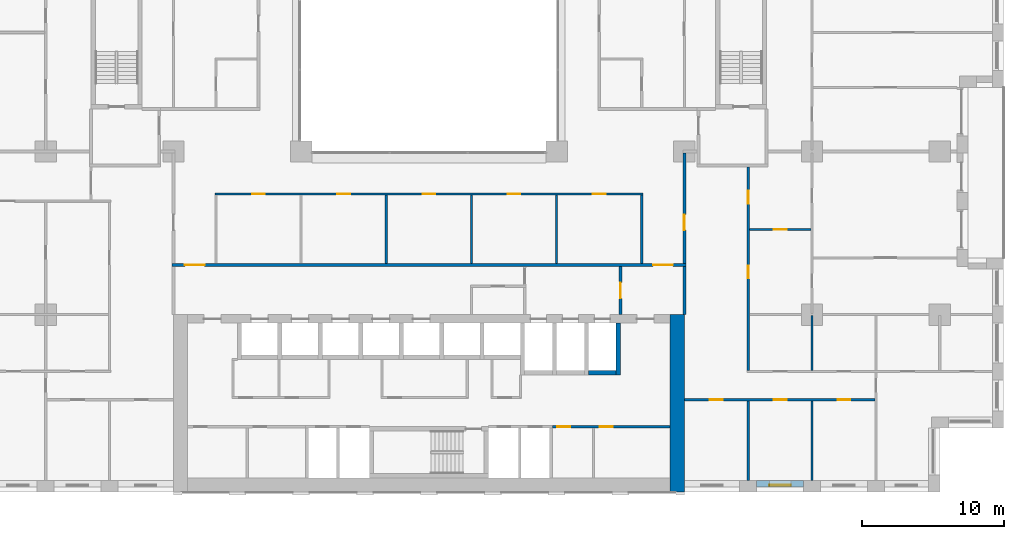
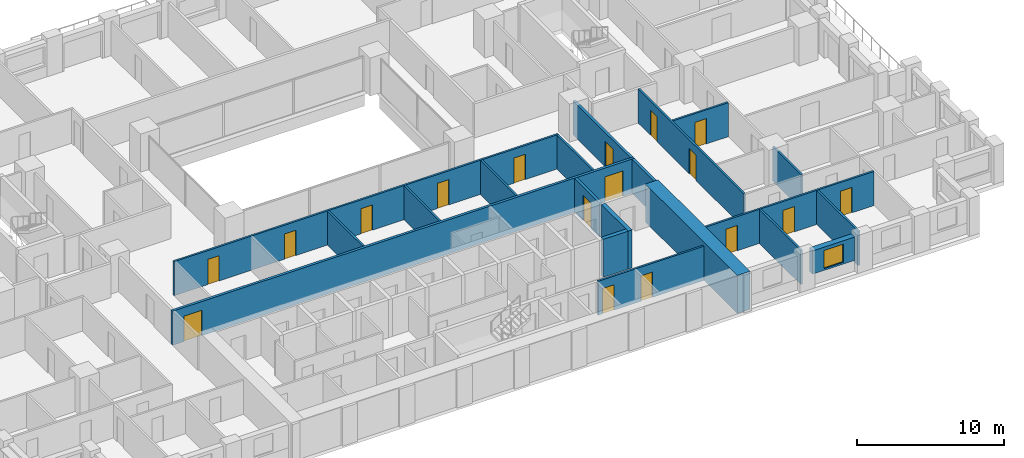
# One storey, part 12 of 19: 20 walls, 17 doors, 1 window, 18 openings.
"""IFC4 building model written with IfcOpenShell, lengths in metres."""

from ifc_helpers import new_model, si_unit, direction, frame, frame_2d, origin, place, context, subcontext, project, spatial, rectangle, extrude, material, layer, layer_set, type_object, element, fill, save


model = new_model("IFC4")

# Units and contexts
model_context = context("Model", 3, precision=1e-05, world=origin(), true_north=direction((0.0, 1.0)))
body_context = subcontext(model_context, "Body", "Model", "MODEL_VIEW")
ifc_project = project(units=[si_unit("LENGTHUNIT", "METRE"), si_unit("AREAUNIT", "SQUARE_METRE"), si_unit("VOLUMEUNIT", "CUBIC_METRE"), si_unit("PLANEANGLEUNIT", "RADIAN"), si_unit("MASSUNIT", "GRAM", prefix="KILO")], contexts=[model_context])

# Site, building, storey
site_placement = place(None, origin())
site = spatial("IfcSite", under=ifc_project, at=site_placement, CompositionType="ELEMENT")
building_placement = place(site_placement, origin())
building = spatial("IfcBuilding", under=site, at=building_placement, Name="Brigalow Station Residences", CompositionType="ELEMENT")
storey_placement = place(building_placement, frame((0.0, 0.0, 22.64990234375)))
storey = spatial("IfcBuildingStorey", under=building, at=storey_placement, Name="L05", CompositionType="ELEMENT", Elevation=22.64990234375)

# Wall, opening, window
ifc_material_1 = material(Name="Clay brick masonry", Category="masonry")
ifc_layer_1 = layer(ifc_material_1, 0.449951171875)
ifc_layer_set_1 = layer_set([ifc_layer_1], Name="BRICK INFILL WALL 450")
wall_type_1 = type_object("IfcWallType", Name="BRICK INFILL WALL 450", PredefinedType="SOLIDWALL", material=ifc_layer_set_1)
wall_1_placement = place(storey_placement, frame((59.10009765625, 0.574951171875, 0.900146484375), z_axis=(0.0, 0.0, 1.0), x_axis=(1.0, 0.0, 0.0)))
wall_1 = element("IfcWall", 1, at=wall_1_placement, inside=storey, type_object=wall_type_1, Name="L05/ewall/W-L05-6", PredefinedType="SOLIDWALL", context=body_context, shape_type="SweptSolid", body=[
    extrude(rectangle(XDim=3.2998046875, YDim=0.449951171875, at=frame_2d((1.64990234375, 0.0))), origin(), (0.0, 0.0, 1.0), 1.929931640625),
])
opening_1_placement = place(wall_1_placement, frame((0.89990234375, 0.0, 0.14990234375)))
opening_1 = element("IfcOpeningElement", 2, at=opening_1_placement, cuts=wall_1, Name="Opening WT-1", PredefinedType="OPENING", context=body_context, shape_type="SweptSolid", body=[
    extrude(rectangle(XDim=1.5, YDim=1.5, at=frame_2d((0.75, 0.75))), frame((0.0, 0.23486328125, 0.0), z_axis=(0.0, -1.0, 0.0), x_axis=(1.0, 0.0, 0.0)), (0.0, 0.0, 1.0), 0.469970703125),
])
ifc_material_2 = material(Name="Anodised aluminium frame with double glazing", Category="aluminium")
window_type = type_object("IfcWindowType", Name="WINDOW 1500x1500", PartitioningType="SINGLE_PANEL", PredefinedType="WINDOW", material=ifc_material_2)
window_placement = place(opening_1_placement, origin())
window = element("IfcWindow", 3, at=window_placement, inside=storey, type_object=window_type, Name="L05/window/W-L05-6", OverallHeight=1.5, OverallWidth=1.5, PartitioningType="SINGLE_PANEL", PredefinedType="WINDOW", context=body_context, shape_type="SweptSolid", body=[
    extrude(rectangle(XDim=1.5, YDim=1.5, at=frame_2d((0.75, 0.75))), frame((0.0, -0.06494140625, 0.0), z_axis=(0.0, -1.0, 0.0), x_axis=(1.0, 0.0, 0.0)), (0.0, 0.0, 1.0), 0.06005859375),
])
fill(opening_1, window)

# Walls
ifc_material_3 = material(Name="Concrete C80", Category="concrete")
ifc_layer_2 = layer(ifc_material_3, 1.0)
ifc_layer_set_2 = layer_set([ifc_layer_2], Name="CORE SHEAR WALL 1000 C80")
wall_type_2 = type_object("IfcWallType", Name="CORE SHEAR WALL 1000 C80", PredefinedType="SHEAR", material=ifc_layer_set_2)
wall_2_placement = place(storey_placement, frame((53.5, 0.0, 0.0), z_axis=(0.0, 0.0, 1.0), x_axis=(0.0, 1.0, 0.0)))
element("IfcWall", 4, at=wall_2_placement, inside=storey, type_object=wall_type_2, Name="CORE WALL OUT-E L05", PredefinedType="SHEAR", context=body_context, shape_type="SweptSolid", body=[
    extrude(rectangle(XDim=12.5, YDim=1.0, at=frame_2d((6.25, 0.0))), origin(), (0.0, 0.0, 1.0), 3.150146484375),
])
ifc_material_4 = material(Name="Concrete C80", Category="concrete")
ifc_layer_3 = layer(ifc_material_4, 0.300048828125)
ifc_layer_set_3 = layer_set([ifc_layer_3], Name="CORE SHEAR WALL 300 C80")
wall_type_3 = type_object("IfcWallType", Name="CORE SHEAR WALL 300 C80", PredefinedType="SHEAR", material=ifc_layer_set_3)
wall_3_placement = place(storey_placement, frame((47.25, 8.39990234375, 0.0), z_axis=(0.0, 0.0, 1.0), x_axis=(1.0, 0.0, 0.0)))
element("IfcWall", 5, at=wall_3_placement, inside=storey, type_object=wall_type_3, Name="CORE WALL SH-SL1-S L05", PredefinedType="SHEAR", context=body_context, shape_type="SweptSolid", body=[
    extrude(rectangle(XDim=1.949951171875, YDim=0.300048828125, at=frame_2d((0.97509765625, 0.0))), origin(), (0.0, 0.0, 1.0), 3.150146484375),
])
wall_4_placement = place(storey_placement, frame((49.35009765625, 8.25, 0.0), z_axis=(0.0, 0.0, 1.0), x_axis=(0.0, 1.0, 0.0)))
element("IfcWall", 6, at=wall_4_placement, inside=storey, type_object=wall_type_3, Name="CORE WALL SH-SL1-E L05", PredefinedType="SHEAR", context=body_context, shape_type="SweptSolid", body=[
    extrude(rectangle(XDim=3.64990234375, YDim=0.300048828125, at=frame_2d((1.824951171875, 0.0))), origin(), (0.0, 0.0, 1.0), 3.150146484375),
])

# Wall, opening, door
ifc_material_5 = material(Name="Concrete blockwork", Category="masonry")
ifc_layer_4 = layer(ifc_material_5, 0.199951171875)
ifc_layer_set_4 = layer_set([ifc_layer_4], Name="FIRE RATED CORE PARTITION 200")
wall_type_4 = type_object("IfcWallType", Name="FIRE RATED CORE PARTITION 200", PredefinedType="PARTITIONING", material=ifc_layer_set_4)
wall_5_placement = place(storey_placement, frame((49.5, 12.5, 0.0), z_axis=(0.0, 0.0, 1.0), x_axis=(0.0, 1.0, 0.0)))
wall_5 = element("IfcWall", 7, at=wall_5_placement, inside=storey, type_object=wall_type_4, Name="PW-5015", PredefinedType="PARTITIONING", context=body_context, shape_type="SweptSolid", body=[
    extrude(rectangle(XDim=3.39990234375, YDim=0.199951171875, at=frame_2d((1.699951171875, 0.0))), origin(), (0.0, 0.0, 1.0), 2.830078125),
])
opening_2_placement = place(wall_5_placement, frame((1.14990234375, 0.0, 0.0)))
opening_2 = element("IfcOpeningElement", 8, at=opening_2_placement, cuts=wall_5, Name="Opening D-5014", PredefinedType="OPENING", context=body_context, shape_type="SweptSolid", body=[
    extrude(rectangle(XDim=1.10009765625, YDim=2.10009765625, at=frame_2d((0.550048828125, 1.050048828125))), frame((0.0, 0.10986328125, 0.0), z_axis=(0.0, -1.0, 0.0), x_axis=(1.0, 0.0, 0.0)), (0.0, 0.0, 1.0), 0.219970703125),
])
ifc_material_6 = material(Name="Steel fire door leaf in steel frame", Category="steel")
door_type_1 = type_object("IfcDoorType", Name="LOBBY DOOR 1100 x 2100 FD60S", OperationType="SINGLE_SWING_LEFT", PredefinedType="DOOR", material=ifc_material_6)
door_1_placement = place(opening_2_placement, origin())
door_1 = element("IfcDoor", 9, at=door_1_placement, inside=storey, type_object=door_type_1, Name="D-5014", OperationType="SINGLE_SWING_LEFT", OverallHeight=2.10009765625, OverallWidth=1.10009765625, PredefinedType="DOOR", context=body_context, shape_type="SweptSolid", body=[
    extrude(rectangle(XDim=1.10009765625, YDim=2.10009765625, at=frame_2d((0.550048828125, 1.050048828125))), frame((0.0, 0.02490234375, 0.0), z_axis=(0.0, -1.0, 0.0), x_axis=(1.0, 0.0, 0.0)), (0.0, 0.0, 1.0), 0.050048828125),
])
fill(opening_2, door_1)

# Wall
wall_6_placement = place(storey_placement, frame((54.0, 12.5, 0.0), z_axis=(0.0, 0.0, 1.0), x_axis=(0.0, 1.0, 0.0)))
element("IfcWall", 10, at=wall_6_placement, inside=storey, type_object=wall_type_4, Name="PW-5016", PredefinedType="PARTITIONING", context=body_context, shape_type="SweptSolid", body=[
    extrude(rectangle(XDim=3.39990234375, YDim=0.199951171875, at=frame_2d((1.699951171875, 0.0))), origin(), (0.0, 0.0, 1.0), 2.830078125),
])

# Wall, openings, doors
ifc_material_7 = material(Name="Plasterboard on steel stud partition", Category="steel")
ifc_layer_5 = layer(ifc_material_7, 0.14990234375)
ifc_layer_set_5 = layer_set([ifc_layer_5], Name="FLAT PARTITION 150")
wall_type_5 = type_object("IfcWallType", Name="FLAT PARTITION 150", PredefinedType="PARTITIONING", material=ifc_layer_set_5)
wall_7_placement = place(storey_placement, frame((20.925048828125, 21.0, 0.0), z_axis=(0.0, 0.0, 1.0), x_axis=(1.0, 0.0, 0.0)))
wall_7 = element("IfcWall", 11, at=wall_7_placement, inside=storey, type_object=wall_type_5, Name="PW-1A01", PredefinedType="PARTITIONING", context=body_context, shape_type="SweptSolid", body=[
    extrude(rectangle(XDim=30.14990234375, YDim=0.14990234375, at=frame_2d((15.074951171875, 0.0))), origin(), (0.0, 0.0, 1.0), 2.830078125),
])
opening_3_placement = place(wall_7_placement, frame((2.625, 0.0, 0.0)))
opening_3 = element("IfcOpeningElement", 12, at=opening_3_placement, cuts=wall_7, Name="Opening D-1A63", PredefinedType="OPENING", context=body_context, shape_type="SweptSolid", body=[
    extrude(rectangle(XDim=0.89990234375, YDim=2.10009765625, at=frame_2d((0.449951171875, 1.050048828125))), frame((0.0, 0.0849609375, 0.0), z_axis=(0.0, -1.0, 0.0), x_axis=(1.0, 0.0, 0.0)), (0.0, 0.0, 1.0), 0.169921875),
])
opening_4_placement = place(wall_7_placement, frame((8.625, 0.0, 0.0)))
opening_4 = element("IfcOpeningElement", 13, at=opening_4_placement, cuts=wall_7, Name="Opening D-1A64", PredefinedType="OPENING", context=body_context, shape_type="SweptSolid", body=[
    extrude(rectangle(XDim=0.89990234375, YDim=2.10009765625, at=frame_2d((0.449951171875, 1.050048828125))), frame((0.0, 0.0849609375, 0.0), z_axis=(0.0, -1.0, 0.0), x_axis=(1.0, 0.0, 0.0)), (0.0, 0.0, 1.0), 0.169921875),
])
opening_5_placement = place(wall_7_placement, frame((14.625, 0.0, 0.0)))
opening_5 = element("IfcOpeningElement", 14, at=opening_5_placement, cuts=wall_7, Name="Opening D-1A65", PredefinedType="OPENING", context=body_context, shape_type="SweptSolid", body=[
    extrude(rectangle(XDim=0.89990234375, YDim=2.10009765625, at=frame_2d((0.449951171875, 1.050048828125))), frame((0.0, 0.0849609375, 0.0), z_axis=(0.0, -1.0, 0.0), x_axis=(1.0, 0.0, 0.0)), (0.0, 0.0, 1.0), 0.169921875),
])
opening_6_placement = place(wall_7_placement, frame((20.625, 0.0, 0.0)))
opening_6 = element("IfcOpeningElement", 15, at=opening_6_placement, cuts=wall_7, Name="Opening D-1A66", PredefinedType="OPENING", context=body_context, shape_type="SweptSolid", body=[
    extrude(rectangle(XDim=0.89990234375, YDim=2.10009765625, at=frame_2d((0.449951171875, 1.050048828125))), frame((0.0, 0.0849609375, 0.0), z_axis=(0.0, -1.0, 0.0), x_axis=(1.0, 0.0, 0.0)), (0.0, 0.0, 1.0), 0.169921875),
])
opening_7_placement = place(wall_7_placement, frame((26.625, 0.0, 0.0)))
opening_7 = element("IfcOpeningElement", 16, at=opening_7_placement, cuts=wall_7, Name="Opening D-1A67", PredefinedType="OPENING", context=body_context, shape_type="SweptSolid", body=[
    extrude(rectangle(XDim=0.89990234375, YDim=2.10009765625, at=frame_2d((0.449951171875, 1.050048828125))), frame((0.0, 0.0849609375, 0.0), z_axis=(0.0, -1.0, 0.0), x_axis=(1.0, 0.0, 0.0)), (0.0, 0.0, 1.0), 0.169921875),
])
ifc_material_8 = material(Name="Solid-core timber door leaf", Category="wood")
door_type_2 = type_object("IfcDoorType", Name="INTERNAL DOOR 900 x 2100", OperationType="SINGLE_SWING_LEFT", PredefinedType="DOOR", material=ifc_material_8)
door_2_placement = place(opening_3_placement, frame((0.89990234375, 0.0, 0.0), z_axis=(0.0, 0.0, 1.0), x_axis=(-1.0, 0.0, 0.0)))
door_2 = element("IfcDoor", 17, at=door_2_placement, inside=storey, type_object=door_type_2, Name="D-1A63", OperationType="SINGLE_SWING_LEFT", OverallHeight=2.10009765625, OverallWidth=0.89990234375, PredefinedType="DOOR", context=body_context, shape_type="SweptSolid", body=[
    extrude(rectangle(XDim=0.89990234375, YDim=2.10009765625, at=frame_2d((0.449951171875, 1.050048828125))), frame((0.0, 0.02490234375, 0.0), z_axis=(0.0, -1.0, 0.0), x_axis=(1.0, 0.0, 0.0)), (0.0, 0.0, 1.0), 0.050048828125),
])
fill(opening_3, door_2)
door_3_placement = place(opening_4_placement, frame((0.89990234375, 0.0, 0.0), z_axis=(0.0, 0.0, 1.0), x_axis=(-1.0, 0.0, 0.0)))
door_3 = element("IfcDoor", 18, at=door_3_placement, inside=storey, type_object=door_type_2, Name="D-1A64", OperationType="SINGLE_SWING_LEFT", OverallHeight=2.10009765625, OverallWidth=0.89990234375, PredefinedType="DOOR", context=body_context, shape_type="SweptSolid", body=[
    extrude(rectangle(XDim=0.89990234375, YDim=2.10009765625, at=frame_2d((0.449951171875, 1.050048828125))), frame((0.0, 0.02490234375, 0.0), z_axis=(0.0, -1.0, 0.0), x_axis=(1.0, 0.0, 0.0)), (0.0, 0.0, 1.0), 0.050048828125),
])
fill(opening_4, door_3)
door_4_placement = place(opening_5_placement, frame((0.89990234375, 0.0, 0.0), z_axis=(0.0, 0.0, 1.0), x_axis=(-1.0, 0.0, 0.0)))
door_4 = element("IfcDoor", 19, at=door_4_placement, inside=storey, type_object=door_type_2, Name="D-1A65", OperationType="SINGLE_SWING_RIGHT", OverallHeight=2.10009765625, OverallWidth=0.89990234375, PredefinedType="DOOR", context=body_context, shape_type="SweptSolid", body=[
    extrude(rectangle(XDim=0.89990234375, YDim=2.10009765625, at=frame_2d((0.449951171875, 1.050048828125))), frame((0.0, 0.02490234375, 0.0), z_axis=(0.0, -1.0, 0.0), x_axis=(1.0, 0.0, 0.0)), (0.0, 0.0, 1.0), 0.050048828125),
])
fill(opening_5, door_4)
door_5_placement = place(opening_6_placement, frame((0.89990234375, 0.0, 0.0), z_axis=(0.0, 0.0, 1.0), x_axis=(-1.0, 0.0, 0.0)))
door_5 = element("IfcDoor", 20, at=door_5_placement, inside=storey, type_object=door_type_2, Name="D-1A66", OperationType="SINGLE_SWING_LEFT", OverallHeight=2.10009765625, OverallWidth=0.89990234375, PredefinedType="DOOR", context=body_context, shape_type="SweptSolid", body=[
    extrude(rectangle(XDim=0.89990234375, YDim=2.10009765625, at=frame_2d((0.449951171875, 1.050048828125))), frame((0.0, 0.02490234375, 0.0), z_axis=(0.0, -1.0, 0.0), x_axis=(1.0, 0.0, 0.0)), (0.0, 0.0, 1.0), 0.050048828125),
])
fill(opening_6, door_5)
door_6_placement = place(opening_7_placement, frame((0.89990234375, 0.0, 0.0), z_axis=(0.0, 0.0, 1.0), x_axis=(-1.0, 0.0, 0.0)))
door_6 = element("IfcDoor", 21, at=door_6_placement, inside=storey, type_object=door_type_2, Name="D-1A67", OperationType="SINGLE_SWING_LEFT", OverallHeight=2.10009765625, OverallWidth=0.89990234375, PredefinedType="DOOR", context=body_context, shape_type="SweptSolid", body=[
    extrude(rectangle(XDim=0.89990234375, YDim=2.10009765625, at=frame_2d((0.449951171875, 1.050048828125))), frame((0.0, 0.02490234375, 0.0), z_axis=(0.0, -1.0, 0.0), x_axis=(1.0, 0.0, 0.0)), (0.0, 0.0, 1.0), 0.050048828125),
])
fill(opening_7, door_6)

wall_8_placement = place(storey_placement, frame((54.0, 6.5, 0.0), z_axis=(0.0, 0.0, 1.0), x_axis=(1.0, 0.0, 0.0)))
wall_8 = element("IfcWall", 22, at=wall_8_placement, inside=storey, type_object=wall_type_5, Name="PW-1A14", PredefinedType="PARTITIONING", context=body_context, shape_type="SweptSolid", body=[
    extrude(rectangle(XDim=13.425048828125, YDim=0.14990234375, at=frame_2d((6.71240234375, 0.0))), origin(), (0.0, 0.0, 1.0), 2.830078125),
])
opening_8_placement = place(wall_8_placement, frame((1.800048828125, 0.0, 0.0)))
opening_8 = element("IfcOpeningElement", 23, at=opening_8_placement, cuts=wall_8, Name="Opening D-1A30", PredefinedType="OPENING", context=body_context, shape_type="SweptSolid", body=[
    extrude(rectangle(XDim=0.89990234375, YDim=2.10009765625, at=frame_2d((0.449951171875, 1.050048828125))), frame((0.0, 0.0849609375, 0.0), z_axis=(0.0, -1.0, 0.0), x_axis=(1.0, 0.0, 0.0)), (0.0, 0.0, 1.0), 0.169921875),
])
opening_9_placement = place(wall_8_placement, frame((6.300048828125, 0.0, 0.0)))
opening_9 = element("IfcOpeningElement", 24, at=opening_9_placement, cuts=wall_8, Name="Opening D-1A31", PredefinedType="OPENING", context=body_context, shape_type="SweptSolid", body=[
    extrude(rectangle(XDim=0.89990234375, YDim=2.10009765625, at=frame_2d((0.449951171875, 1.050048828125))), frame((0.0, 0.0849609375, 0.0), z_axis=(0.0, -1.0, 0.0), x_axis=(1.0, 0.0, 0.0)), (0.0, 0.0, 1.0), 0.169921875),
])
opening_10_placement = place(wall_8_placement, frame((10.800048828125, 0.0, 0.0)))
opening_10 = element("IfcOpeningElement", 25, at=opening_10_placement, cuts=wall_8, Name="Opening D-1A32", PredefinedType="OPENING", context=body_context, shape_type="SweptSolid", body=[
    extrude(rectangle(XDim=0.89990234375, YDim=2.10009765625, at=frame_2d((0.449951171875, 1.050048828125))), frame((0.0, 0.0849609375, 0.0), z_axis=(0.0, -1.0, 0.0), x_axis=(1.0, 0.0, 0.0)), (0.0, 0.0, 1.0), 0.169921875),
])
door_7_placement = place(opening_8_placement, frame((0.89990234375, 0.0, 0.0), z_axis=(0.0, 0.0, 1.0), x_axis=(-1.0, 0.0, 0.0)))
door_7 = element("IfcDoor", 26, at=door_7_placement, inside=storey, type_object=door_type_2, Name="D-1A30", OperationType="SINGLE_SWING_LEFT", OverallHeight=2.10009765625, OverallWidth=0.89990234375, PredefinedType="DOOR", context=body_context, shape_type="SweptSolid", body=[
    extrude(rectangle(XDim=0.89990234375, YDim=2.10009765625, at=frame_2d((0.449951171875, 1.050048828125))), frame((0.0, 0.02490234375, 0.0), z_axis=(0.0, -1.0, 0.0), x_axis=(1.0, 0.0, 0.0)), (0.0, 0.0, 1.0), 0.050048828125),
])
fill(opening_8, door_7)
door_8_placement = place(opening_9_placement, frame((0.89990234375, 0.0, 0.0), z_axis=(0.0, 0.0, 1.0), x_axis=(-1.0, 0.0, 0.0)))
door_8 = element("IfcDoor", 27, at=door_8_placement, inside=storey, type_object=door_type_2, Name="D-1A31", OperationType="SINGLE_SWING_RIGHT", OverallHeight=2.10009765625, OverallWidth=0.89990234375, PredefinedType="DOOR", context=body_context, shape_type="SweptSolid", body=[
    extrude(rectangle(XDim=0.89990234375, YDim=2.10009765625, at=frame_2d((0.449951171875, 1.050048828125))), frame((0.0, 0.02490234375, 0.0), z_axis=(0.0, -1.0, 0.0), x_axis=(1.0, 0.0, 0.0)), (0.0, 0.0, 1.0), 0.050048828125),
])
fill(opening_9, door_8)
door_9_placement = place(opening_10_placement, frame((0.89990234375, 0.0, 0.0), z_axis=(0.0, 0.0, 1.0), x_axis=(-1.0, 0.0, 0.0)))
door_9 = element("IfcDoor", 28, at=door_9_placement, inside=storey, type_object=door_type_2, Name="D-1A32", OperationType="SINGLE_SWING_LEFT", OverallHeight=2.10009765625, OverallWidth=0.89990234375, PredefinedType="DOOR", context=body_context, shape_type="SweptSolid", body=[
    extrude(rectangle(XDim=0.89990234375, YDim=2.10009765625, at=frame_2d((0.449951171875, 1.050048828125))), frame((0.0, 0.02490234375, 0.0), z_axis=(0.0, -1.0, 0.0), x_axis=(1.0, 0.0, 0.0)), (0.0, 0.0, 1.0), 0.050048828125),
])
fill(opening_10, door_9)

# Wall, opening, door
wall_9_placement = place(storey_placement, frame((58.574951171875, 18.5, 0.0), z_axis=(0.0, 0.0, 1.0), x_axis=(1.0, 0.0, 0.0)))
wall_9 = element("IfcWall", 29, at=wall_9_placement, inside=storey, type_object=wall_type_5, Name="PW-1A28", PredefinedType="PARTITIONING", context=body_context, shape_type="SweptSolid", body=[
    extrude(rectangle(XDim=4.35009765625, YDim=0.14990234375, at=frame_2d((2.175048828125, 0.0))), origin(), (0.0, 0.0, 1.0), 2.830078125),
])
opening_11_placement = place(wall_9_placement, frame((1.72509765625, 0.0, 0.0)))
opening_11 = element("IfcOpeningElement", 30, at=opening_11_placement, cuts=wall_9, Name="Opening D-1A40", PredefinedType="OPENING", context=body_context, shape_type="SweptSolid", body=[
    extrude(rectangle(XDim=0.89990234375, YDim=2.10009765625, at=frame_2d((0.449951171875, 1.050048828125))), frame((0.0, 0.0849609375, 0.0), z_axis=(0.0, -1.0, 0.0), x_axis=(1.0, 0.0, 0.0)), (0.0, 0.0, 1.0), 0.169921875),
])
door_10_placement = place(opening_11_placement, origin())
door_10 = element("IfcDoor", 31, at=door_10_placement, inside=storey, type_object=door_type_2, Name="D-1A40", OperationType="SINGLE_SWING_RIGHT", OverallHeight=2.10009765625, OverallWidth=0.89990234375, PredefinedType="DOOR", context=body_context, shape_type="SweptSolid", body=[
    extrude(rectangle(XDim=0.89990234375, YDim=2.10009765625, at=frame_2d((0.449951171875, 1.050048828125))), frame((0.0, 0.02490234375, 0.0), z_axis=(0.0, -1.0, 0.0), x_axis=(1.0, 0.0, 0.0)), (0.0, 0.0, 1.0), 0.050048828125),
])
fill(opening_11, door_10)

# Walls
wall_10_placement = place(storey_placement, frame((51.0, 16.10009765625, 0.0), z_axis=(0.0, 0.0, 1.0), x_axis=(0.0, 1.0, 0.0)))
element("IfcWall", 32, at=wall_10_placement, inside=storey, type_object=wall_type_5, Name="PW-1A40", PredefinedType="PARTITIONING", context=body_context, shape_type="SweptSolid", body=[
    extrude(rectangle(XDim=4.824951171875, YDim=0.14990234375, at=frame_2d((2.41259765625, 0.0))), origin(), (0.0, 0.0, 1.0), 2.830078125),
])
wall_11_placement = place(storey_placement, frame((58.5, 0.800048828125, 0.0), z_axis=(0.0, 0.0, 1.0), x_axis=(0.0, 1.0, 0.0)))
element("IfcWall", 33, at=wall_11_placement, inside=storey, type_object=wall_type_5, Name="PW-1A61", PredefinedType="PARTITIONING", context=body_context, shape_type="SweptSolid", body=[
    extrude(rectangle(XDim=5.625, YDim=0.14990234375, at=frame_2d((2.8125, 0.0))), origin(), (0.0, 0.0, 1.0), 2.830078125),
])

# Wall, openings, doors
wall_12_placement = place(storey_placement, frame((58.5, 8.574951171875, 0.0), z_axis=(0.0, 0.0, 1.0), x_axis=(0.0, 1.0, 0.0)))
wall_12 = element("IfcWall", 34, at=wall_12_placement, inside=storey, type_object=wall_type_5, Name="PW-1A62", PredefinedType="PARTITIONING", context=body_context, shape_type="SweptSolid", body=[
    extrude(rectangle(XDim=14.324951171875, YDim=0.14990234375, at=frame_2d((7.16259765625, 0.0))), origin(), (0.0, 0.0, 1.0), 2.830078125),
])
opening_12_placement = place(wall_12_placement, frame((6.47509765625, 0.0, 0.0)))
opening_12 = element("IfcOpeningElement", 35, at=opening_12_placement, cuts=wall_12, Name="Opening D-1A38", PredefinedType="OPENING", context=body_context, shape_type="SweptSolid", body=[
    extrude(rectangle(XDim=0.89990234375, YDim=2.10009765625, at=frame_2d((0.449951171875, 1.050048828125))), frame((0.0, 0.0849609375, 0.0), z_axis=(0.0, -1.0, 0.0), x_axis=(1.0, 0.0, 0.0)), (0.0, 0.0, 1.0), 0.169921875),
])
opening_13_placement = place(wall_12_placement, frame((11.75, 0.0, 0.0)))
opening_13 = element("IfcOpeningElement", 36, at=opening_13_placement, cuts=wall_12, Name="Opening D-1A39", PredefinedType="OPENING", context=body_context, shape_type="SweptSolid", body=[
    extrude(rectangle(XDim=0.89990234375, YDim=2.10009765625, at=frame_2d((0.449951171875, 1.050048828125))), frame((0.0, 0.0849609375, 0.0), z_axis=(0.0, -1.0, 0.0), x_axis=(1.0, 0.0, 0.0)), (0.0, 0.0, 1.0), 0.169921875),
])
door_11_placement = place(opening_12_placement, frame((0.89990234375, 0.0, 0.0), z_axis=(0.0, 0.0, 1.0), x_axis=(-1.0, 0.0, 0.0)))
door_11 = element("IfcDoor", 37, at=door_11_placement, inside=storey, type_object=door_type_2, Name="D-1A38", OperationType="SINGLE_SWING_LEFT", OverallHeight=2.10009765625, OverallWidth=0.89990234375, PredefinedType="DOOR", context=body_context, shape_type="SweptSolid", body=[
    extrude(rectangle(XDim=0.89990234375, YDim=2.10009765625, at=frame_2d((0.449951171875, 1.050048828125))), frame((0.0, 0.02490234375, 0.0), z_axis=(0.0, -1.0, 0.0), x_axis=(1.0, 0.0, 0.0)), (0.0, 0.0, 1.0), 0.050048828125),
])
fill(opening_12, door_11)
door_12_placement = place(opening_13_placement, frame((0.89990234375, 0.0, 0.0), z_axis=(0.0, 0.0, 1.0), x_axis=(-1.0, 0.0, 0.0)))
door_12 = element("IfcDoor", 38, at=door_12_placement, inside=storey, type_object=door_type_2, Name="D-1A39", OperationType="SINGLE_SWING_LEFT", OverallHeight=2.10009765625, OverallWidth=0.89990234375, PredefinedType="DOOR", context=body_context, shape_type="SweptSolid", body=[
    extrude(rectangle(XDim=0.89990234375, YDim=2.10009765625, at=frame_2d((0.449951171875, 1.050048828125))), frame((0.0, 0.02490234375, 0.0), z_axis=(0.0, -1.0, 0.0), x_axis=(1.0, 0.0, 0.0)), (0.0, 0.0, 1.0), 0.050048828125),
])
fill(opening_13, door_12)

# Walls
wall_13_placement = place(storey_placement, frame((63.0, 0.800048828125, 0.0), z_axis=(0.0, 0.0, 1.0), x_axis=(0.0, 1.0, 0.0)))
element("IfcWall", 39, at=wall_13_placement, inside=storey, type_object=wall_type_5, Name="PW-1A64", PredefinedType="PARTITIONING", context=body_context, shape_type="SweptSolid", body=[
    extrude(rectangle(XDim=5.625, YDim=0.14990234375, at=frame_2d((2.8125, 0.0))), origin(), (0.0, 0.0, 1.0), 2.830078125),
])
wall_14_placement = place(storey_placement, frame((63.0, 8.574951171875, 0.0), z_axis=(0.0, 0.0, 1.0), x_axis=(0.0, 1.0, 0.0)))
element("IfcWall", 40, at=wall_14_placement, inside=storey, type_object=wall_type_5, Name="PW-1A65", PredefinedType="PARTITIONING", context=body_context, shape_type="SweptSolid", body=[
    extrude(rectangle(XDim=3.85009765625, YDim=0.14990234375, at=frame_2d((1.925048828125, 0.0))), origin(), (0.0, 0.0, 1.0), 2.830078125),
])
for number, where, z_axis, x_axis, name in (
    (41, (33.0, 16.10009765625, 0.0), (0.0, 0.0, 1.0), (0.0, 1.0, 0.0), "PW-1A78"),
    (42, (39.0, 16.10009765625, 0.0), (0.0, 0.0, 1.0), (0.0, 1.0, 0.0), "PW-1A79"),
    (43, (45.0, 16.10009765625, 0.0), (0.0, 0.0, 1.0), (0.0, 1.0, 0.0), "PW-1A80"),
):
    element("IfcWall", number, at=place(storey_placement, frame(where, z_axis=z_axis, x_axis=x_axis)), inside=storey, type_object=wall_type_5, Name=name, PredefinedType="PARTITIONING", context=body_context, shape_type="SweptSolid", body=[
        extrude(rectangle(XDim=4.824951171875, YDim=0.14990234375, at=frame_2d((2.41259765625, 0.0))), origin(), (0.0, 0.0, 1.0), 2.830078125),
    ])

# Wall, openings, doors
ifc_material_9 = material(Name="Plasterboard on steel stud partition", Category="steel")
ifc_layer_6 = layer(ifc_material_9, 0.199951171875)
ifc_layer_set_6 = layer_set([ifc_layer_6], Name="PARTY AND CORRIDOR WALL 200")
wall_type_6 = type_object("IfcWallType", Name="PARTY AND CORRIDOR WALL 200", PredefinedType="PARTITIONING", material=ifc_layer_set_6)
wall_15_placement = place(storey_placement, frame((17.89990234375, 16.0, 0.0), z_axis=(0.0, 0.0, 1.0), x_axis=(1.0, 0.0, 0.0)))
wall_15 = element("IfcWall", 44, at=wall_15_placement, inside=storey, type_object=wall_type_6, Name="PW-1A31", PredefinedType="PARTITIONING", context=body_context, shape_type="SweptSolid", body=[
    extrude(rectangle(XDim=36.2001953125, YDim=0.199951171875, at=frame_2d((18.10009765625, 0.0))), origin(), (0.0, 0.0, 1.0), 2.830078125),
])
opening_14_placement = place(wall_15_placement, frame((0.89990234375, 0.0, 0.0)))
opening_14 = element("IfcOpeningElement", 45, at=opening_14_placement, cuts=wall_15, Name="Opening D-1A01", PredefinedType="OPENING", context=body_context, shape_type="SweptSolid", body=[
    extrude(rectangle(XDim=1.39990234375, YDim=2.10009765625, at=frame_2d((0.699951171875, 1.050048828125))), frame((0.0, 0.10986328125, 0.0), z_axis=(0.0, -1.0, 0.0), x_axis=(1.0, 0.0, 0.0)), (0.0, 0.0, 1.0), 0.219970703125),
])
opening_15_placement = place(wall_15_placement, frame((33.89990234375, 0.0, 0.0)))
opening_15 = element("IfcOpeningElement", 46, at=opening_15_placement, cuts=wall_15, Name="Opening D-1A02", PredefinedType="OPENING", context=body_context, shape_type="SweptSolid", body=[
    extrude(rectangle(XDim=1.39990234375, YDim=2.10009765625, at=frame_2d((0.699951171875, 1.050048828125))), frame((0.0, 0.10986328125, 0.0), z_axis=(0.0, -1.0, 0.0), x_axis=(1.0, 0.0, 0.0)), (0.0, 0.0, 1.0), 0.219970703125),
])
ifc_material_10 = material(Name="Solid-core timber door leaf", Category="wood")
door_type_3 = type_object("IfcDoorType", Name="CORRIDOR FIRE DOOR 1400 x 2100 FRL -/60/30", OperationType="DOUBLE_DOOR_SINGLE_SWING", PredefinedType="DOOR", material=ifc_material_10)
door_13_placement = place(opening_14_placement, frame((1.39990234375, 0.0, 0.0), z_axis=(0.0, 0.0, 1.0), x_axis=(-1.0, 0.0, 0.0)))
door_13 = element("IfcDoor", 47, at=door_13_placement, inside=storey, type_object=door_type_3, Name="D-1A01", OperationType="DOUBLE_DOOR_SINGLE_SWING", OverallHeight=2.10009765625, OverallWidth=1.39990234375, PredefinedType="DOOR", context=body_context, shape_type="SweptSolid", body=[
    extrude(rectangle(XDim=1.39990234375, YDim=2.10009765625, at=frame_2d((0.699951171875, 1.050048828125))), frame((0.0, 0.02490234375, 0.0), z_axis=(0.0, -1.0, 0.0), x_axis=(1.0, 0.0, 0.0)), (0.0, 0.0, 1.0), 0.050048828125),
])
fill(opening_14, door_13)
door_14_placement = place(opening_15_placement, frame((1.39990234375, 0.0, 0.0), z_axis=(0.0, 0.0, 1.0), x_axis=(-1.0, 0.0, 0.0)))
door_14 = element("IfcDoor", 48, at=door_14_placement, inside=storey, type_object=door_type_3, Name="D-1A02", OperationType="DOUBLE_DOOR_SINGLE_SWING", OverallHeight=2.10009765625, OverallWidth=1.39990234375, PredefinedType="DOOR", context=body_context, shape_type="SweptSolid", body=[
    extrude(rectangle(XDim=1.39990234375, YDim=2.10009765625, at=frame_2d((0.699951171875, 1.050048828125))), frame((0.0, 0.02490234375, 0.0), z_axis=(0.0, -1.0, 0.0), x_axis=(1.0, 0.0, 0.0)), (0.0, 0.0, 1.0), 0.050048828125),
])
fill(opening_15, door_14)

# Wall, opening, door
wall_16_placement = place(storey_placement, frame((54.0, 16.10009765625, 0.0), z_axis=(0.0, 0.0, 1.0), x_axis=(0.0, 1.0, 0.0)))
wall_16 = element("IfcWall", 49, at=wall_16_placement, inside=storey, type_object=wall_type_6, Name="PW-1A37", PredefinedType="PARTITIONING", context=body_context, shape_type="SweptSolid", body=[
    extrude(rectangle(XDim=7.7998046875, YDim=0.199951171875, at=frame_2d((3.89990234375, 0.0))), origin(), (0.0, 0.0, 1.0), 2.830078125),
])
opening_16_placement = place(wall_16_placement, frame((2.35009765625, 0.0, 0.0)))
opening_16 = element("IfcOpeningElement", 50, at=opening_16_placement, cuts=wall_16, Name="Opening D-1A44", PredefinedType="OPENING", context=body_context, shape_type="SweptSolid", body=[
    extrude(rectangle(XDim=1.10009765625, YDim=2.10009765625, at=frame_2d((0.550048828125, 1.050048828125))), frame((0.0, 0.10986328125, 0.0), z_axis=(0.0, -1.0, 0.0), x_axis=(1.0, 0.0, 0.0)), (0.0, 0.0, 1.0), 0.219970703125),
])
ifc_material_11 = material(Name="Solid-core timber door leaf", Category="wood")
door_type_4 = type_object("IfcDoorType", Name="FLAT ENTRANCE DOOR 1100 x 2100 FRL -/60/30", OperationType="SINGLE_SWING_LEFT", PredefinedType="DOOR", material=ifc_material_11)
door_15_placement = place(opening_16_placement, frame((1.10009765625, 0.0, 0.0), z_axis=(0.0, 0.0, 1.0), x_axis=(-1.0, 0.0, 0.0)))
door_15 = element("IfcDoor", 51, at=door_15_placement, inside=storey, type_object=door_type_4, Name="D-1A44", OperationType="SINGLE_SWING_LEFT", OverallHeight=2.10009765625, OverallWidth=1.10009765625, PredefinedType="DOOR", context=body_context, shape_type="SweptSolid", body=[
    extrude(rectangle(XDim=1.10009765625, YDim=2.10009765625, at=frame_2d((0.550048828125, 1.050048828125))), frame((0.0, 0.02490234375, 0.0), z_axis=(0.0, -1.0, 0.0), x_axis=(1.0, 0.0, 0.0)), (0.0, 0.0, 1.0), 0.050048828125),
])
fill(opening_16, door_15)

# Wall, openings, doors
ifc_material_12 = material(Name="Plasterboard on steel studs", Category="steel")
ifc_layer_7 = layer(ifc_material_12, 0.14990234375)
ifc_layer_set_7 = layer_set([ifc_layer_7], Name="SERVICE ROOM PARTITION 150")
wall_type_7 = type_object("IfcWallType", Name="SERVICE ROOM PARTITION 150", PredefinedType="PARTITIONING", material=ifc_layer_set_7)
wall_17_placement = place(storey_placement, frame((44.699951171875, 4.60009765625, 0.0), z_axis=(0.0, 0.0, 1.0), x_axis=(1.0, 0.0, 0.0)))
wall_17 = element("IfcWall", 52, at=wall_17_placement, inside=storey, type_object=wall_type_7, Name="PW-5020", PredefinedType="PARTITIONING", context=body_context, shape_type="SweptSolid", body=[
    extrude(rectangle(XDim=8.300048828125, YDim=0.14990234375, at=frame_2d((4.14990234375, 0.0))), origin(), (0.0, 0.0, 1.0), 2.830078125),
])
opening_17_placement = place(wall_17_placement, frame((0.35009765625, 0.0, 0.0)))
opening_17 = element("IfcOpeningElement", 53, at=opening_17_placement, cuts=wall_17, Name="Opening D-5026", PredefinedType="OPENING", context=body_context, shape_type="SweptSolid", body=[
    extrude(rectangle(XDim=0.89990234375, YDim=2.10009765625, at=frame_2d((0.449951171875, 1.050048828125))), frame((0.0, 0.0849609375, 0.0), z_axis=(0.0, -1.0, 0.0), x_axis=(1.0, 0.0, 0.0)), (0.0, 0.0, 1.0), 0.169921875),
])
opening_18_placement = place(wall_17_placement, frame((3.35009765625, 0.0, 0.0)))
opening_18 = element("IfcOpeningElement", 54, at=opening_18_placement, cuts=wall_17, Name="Opening D-5075", PredefinedType="OPENING", context=body_context, shape_type="SweptSolid", body=[
    extrude(rectangle(XDim=0.89990234375, YDim=2.10009765625, at=frame_2d((0.449951171875, 1.050048828125))), frame((0.0, 0.0849609375, 0.0), z_axis=(0.0, -1.0, 0.0), x_axis=(1.0, 0.0, 0.0)), (0.0, 0.0, 1.0), 0.169921875),
])
ifc_material_13 = material(Name="Steel door leaf in steel frame", Category="steel")
door_type_5 = type_object("IfcDoorType", Name="SERVICE ROOM DOOR 900 x 2100 FD60", OperationType="SINGLE_SWING_LEFT", PredefinedType="DOOR", material=ifc_material_13)
door_16_placement = place(opening_17_placement, frame((0.89990234375, 0.0, 0.0), z_axis=(0.0, 0.0, 1.0), x_axis=(-1.0, 0.0, 0.0)))
door_16 = element("IfcDoor", 55, at=door_16_placement, inside=storey, type_object=door_type_5, Name="D-5026", OperationType="SINGLE_SWING_RIGHT", OverallHeight=2.10009765625, OverallWidth=0.89990234375, PredefinedType="DOOR", context=body_context, shape_type="SweptSolid", body=[
    extrude(rectangle(XDim=0.89990234375, YDim=2.10009765625, at=frame_2d((0.449951171875, 1.050048828125))), frame((0.0, 0.02490234375, 0.0), z_axis=(0.0, -1.0, 0.0), x_axis=(1.0, 0.0, 0.0)), (0.0, 0.0, 1.0), 0.050048828125),
])
fill(opening_17, door_16)
door_17_placement = place(opening_18_placement, frame((0.89990234375, 0.0, 0.0), z_axis=(0.0, 0.0, 1.0), x_axis=(-1.0, 0.0, 0.0)))
door_17 = element("IfcDoor", 56, at=door_17_placement, inside=storey, type_object=door_type_5, Name="D-5075", OperationType="SINGLE_SWING_RIGHT", OverallHeight=2.10009765625, OverallWidth=0.89990234375, PredefinedType="DOOR", context=body_context, shape_type="SweptSolid", body=[
    extrude(rectangle(XDim=0.89990234375, YDim=2.10009765625, at=frame_2d((0.449951171875, 1.050048828125))), frame((0.0, 0.02490234375, 0.0), z_axis=(0.0, -1.0, 0.0), x_axis=(1.0, 0.0, 0.0)), (0.0, 0.0, 1.0), 0.050048828125),
])
fill(opening_18, door_17)

save(model, "model.ifc")
